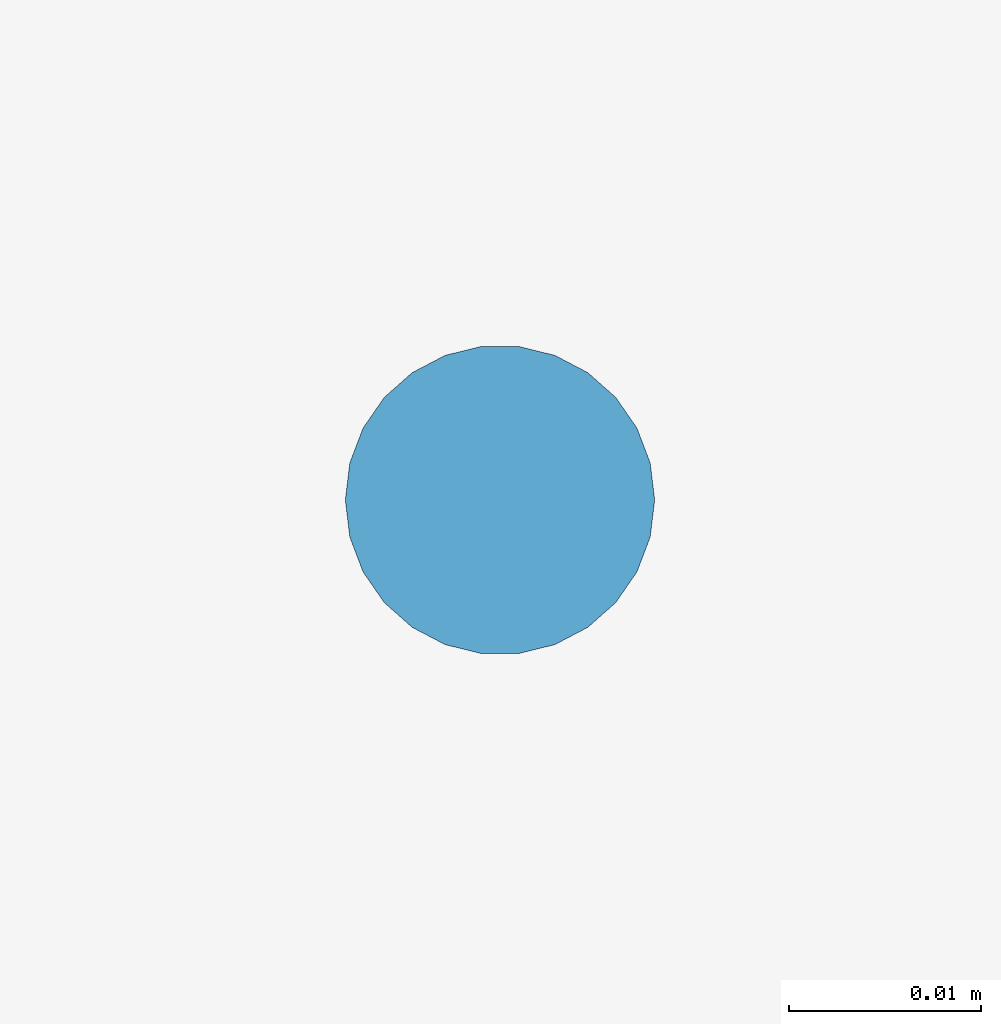
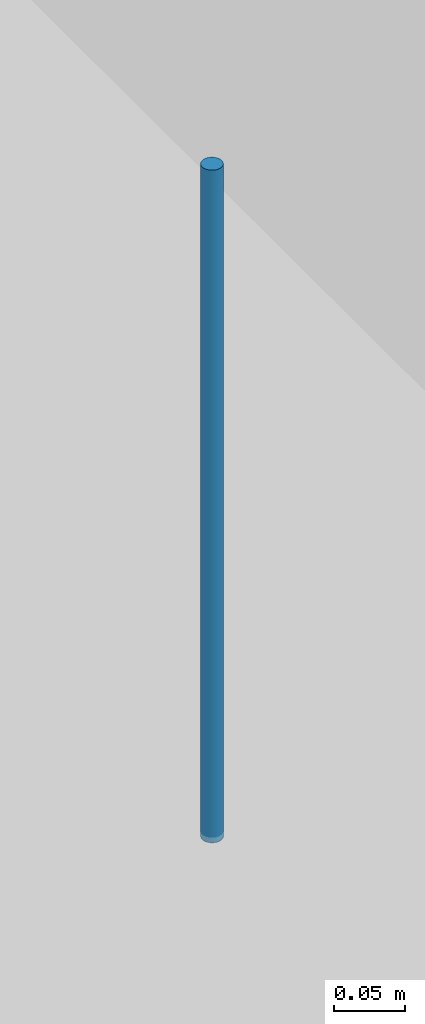
# One storey, part 19 of 22: 1 discrete accessory.
"""IFC4 building model written with IfcOpenShell, lengths in metres."""

from ifc_helpers import new_model, si_unit, direction, frame, origin, origin_2d, place, context, subcontext, project, spatial, circle, extrude, material, type_object, element, save


model = new_model("IFC4")

# Units and contexts
model_context = context("Model", 3, precision=1e-05, world=origin(), true_north=direction((0.0, 1.0)))
body_context = subcontext(model_context, "Body", "Model", "MODEL_VIEW")
ifc_project = project(units=[si_unit("LENGTHUNIT", "METRE"), si_unit("AREAUNIT", "SQUARE_METRE"), si_unit("VOLUMEUNIT", "CUBIC_METRE"), si_unit("PLANEANGLEUNIT", "RADIAN"), si_unit("MASSUNIT", "GRAM", prefix="KILO")], contexts=[model_context])

# Site, building, storey
site_placement = place(None, origin())
site = spatial("IfcSite", under=ifc_project, at=site_placement, CompositionType="ELEMENT")
building_placement = place(site_placement, origin())
building = spatial("IfcBuilding", under=site, at=building_placement, Name="Yukiwa Park Conservatory and Herbarium", CompositionType="ELEMENT")
storey_placement = place(building_placement, frame((0.0, 0.0, 35.39990234375)))
storey = spatial("IfcBuildingStorey", under=building, at=storey_placement, Name="L09", CompositionType="ELEMENT", Elevation=35.39990234375)

# Discrete accessory
ifc_material = material(Name="Steel Q235B", Category="steel")
discrete_accessory_type = type_object("IfcDiscreteAccessoryType", Name="ACC-CEILING-HANGER", PredefinedType="BRACKET", material=ifc_material)
discrete_accessory_placement = place(storey_placement, frame((166.60009765625, 83.39990234375, 2.675048828125), z_axis=(0.0, 0.0, 1.0), x_axis=(1.0, 0.0, 0.0)))
element("IfcDiscreteAccessory", 1, at=discrete_accessory_placement, inside=storey, type_object=discrete_accessory_type, Name="Ceiling suspension hanger rod 22", PredefinedType="BRACKET", context=body_context, shape_type="SweptSolid", body=[
    extrude(circle(Radius=0.008056640625, at=origin_2d()), origin(), (0.0, 0.0, 1.0), 0.578125),
])

save(model, "model.ifc")
